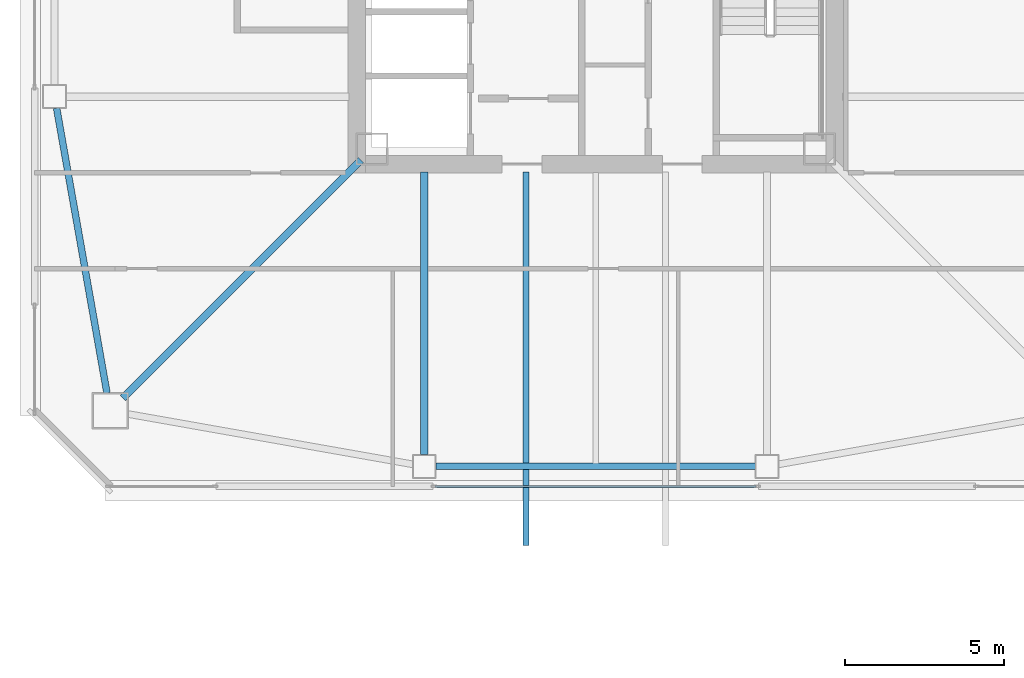
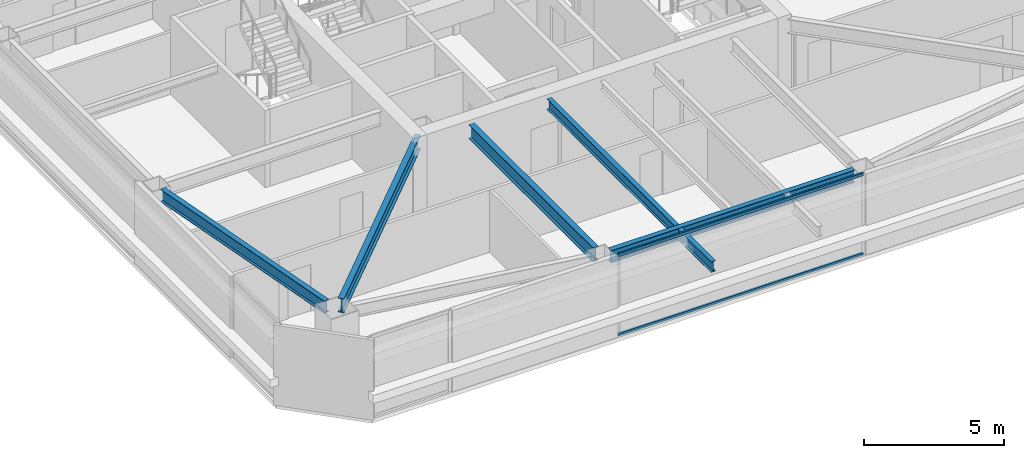
# One storey, part 4 of 41: 5 beams, 2 members, 1 element without a shape of its own.
"""IFC4 building model written with IfcOpenShell, lengths in metres."""

from ifc_helpers import new_model, si_unit, direction, frame, origin, origin_2d, place, context, subcontext, project, spatial, hollow_rectangle, i_section, extrude, material, material_profile, profile_set, type_object, element, aggregate, save


model = new_model("IFC4")

# Units and contexts
model_context = context("Model", 3, precision=1e-05, world=origin(), true_north=direction((0.0, 1.0)))
body_context = subcontext(model_context, "Body", "Model", "MODEL_VIEW")
ifc_project = project(units=[si_unit("LENGTHUNIT", "METRE"), si_unit("AREAUNIT", "SQUARE_METRE"), si_unit("VOLUMEUNIT", "CUBIC_METRE"), si_unit("PLANEANGLEUNIT", "RADIAN"), si_unit("MASSUNIT", "GRAM", prefix="KILO")], contexts=[model_context])

# Site, building, storey
site_placement = place(None, origin())
site = spatial("IfcSite", under=ifc_project, at=site_placement, CompositionType="ELEMENT")
building_placement = place(site_placement, origin())
building = spatial("IfcBuilding", under=site, at=building_placement, Name="Tashvorn Skyway Center", CompositionType="ELEMENT")
storey_placement = place(building_placement, frame((0.0, 0.0, 174.75)))
storey = spatial("IfcBuildingStorey", under=building, at=storey_placement, Name="L47", CompositionType="ELEMENT", Elevation=174.75)

# Beams
ifc_material_1 = material(Name="Steel ASTM A992 Grade 50", Category="steel")
ifc_material_profile_1 = material_profile(ifc_material_1, i_section(OverallWidth=0.22998046875, OverallDepth=0.616943359375, WebThickness=0.01318359375, FlangeThickness=0.022216796875, at=origin_2d()), Name="W24X94")
ifc_profile_set_1 = profile_set([ifc_material_profile_1], Name="Steel ASTM A992 Grade 50")
beam_type_1 = type_object("IfcBeamType", Name="BM-BEAM-W24X94", PredefinedType="BEAM", material=ifc_profile_set_1)
beam_1_placement = place(storey_placement, frame((27.10302734375, 17.10302734375, 3.0615234375), z_axis=(0.707106781187, 0.707106781187, 0.0), x_axis=(-0.707106781187, 0.707106781187, 0.0)))
element("IfcBeam", 1, at=beam_1_placement, inside=storey, type_object=beam_type_1, Name="Tower 1 L47 Primary Floor Girder MC-SW", PredefinedType="BEAM", context=body_context, shape_type="SweptSolid", body=[
    extrude(i_section(OverallWidth=0.22998046875, OverallDepth=0.616943359375, WebThickness=0.01318359375, FlangeThickness=0.022216796875, at=origin_2d()), origin(), (0.0, 0.0, 1.0), 10.6025390625),
])
beam_2_placement = place(storey_placement, frame((36.60009765625, 15.320068359375, 3.0615234375), z_axis=(0.0, 1.0, 0.0), x_axis=(-1.0, 0.0, 0.0)))
element("IfcBeam", 2, at=beam_2_placement, inside=storey, type_object=beam_type_1, Name="Tower 1 L47 Primary Floor Girder FC-S1", PredefinedType="BEAM", context=body_context, shape_type="SweptSolid", body=[
    extrude(i_section(OverallWidth=0.22998046875, OverallDepth=0.616943359375, WebThickness=0.01318359375, FlangeThickness=0.022216796875, at=origin_2d()), origin(), (0.0, 0.0, 1.0), 8.89990234375),
])
ifc_material_profile_2 = material_profile(ifc_material_1, i_section(OverallWidth=0.19091796875, OverallDepth=0.4599609375, WebThickness=0.010009765625, FlangeThickness=0.01611328125, at=origin_2d()), Name="W18X55")
ifc_profile_set_2 = profile_set([ifc_material_profile_2], Name="Steel ASTM A992 Grade 50")
beam_type_2 = type_object("IfcBeamType", Name="BM-JOIST-W18X55", PredefinedType="JOIST", material=ifc_profile_set_2)
beam_3_placement = place(storey_placement, frame((39.800048828125, 24.219970703125, 3.139892578125), z_axis=(0.0, -1.0, 0.0), x_axis=(1.0, 0.0, 0.0)))
element("IfcBeam", 3, at=beam_3_placement, inside=storey, type_object=beam_type_2, Name="Tower 1 L48 Terrace Cantilever Outlooker 1", PredefinedType="JOIST", context=body_context, shape_type="SweptSolid", body=[
    extrude(i_section(OverallWidth=0.19091796875, OverallDepth=0.4599609375, WebThickness=0.010009765625, FlangeThickness=0.01611328125, at=origin_2d()), origin(), (0.0, 0.0, 1.0), 11.77001953125),
])
ifc_material_profile_3 = material_profile(ifc_material_1, i_section(OverallWidth=0.2109375, OverallDepth=0.5390625, WebThickness=0.01171875, FlangeThickness=0.018798828125, at=origin_2d()), Name="W21X73")
ifc_profile_set_3 = profile_set([ifc_material_profile_3], Name="Steel ASTM A992 Grade 50")
beam_type_3 = type_object("IfcBeamType", Name="BM-SPANDREL-W21X73", PredefinedType="SPANDREL", material=ifc_profile_set_3)
beam_4_placement = place(storey_placement, frame((36.969970703125, 14.949951171875, 3.1005859375), z_axis=(1.0, 0.0, 0.0), x_axis=(0.0, 1.0, 0.0)))
element("IfcBeam", 4, at=beam_4_placement, inside=storey, type_object=beam_type_3, Name="Tower 1 L47 Spandrel Beam 02", PredefinedType="SPANDREL", context=body_context, shape_type="SweptSolid", body=[
    extrude(i_section(OverallWidth=0.2109375, OverallDepth=0.5390625, WebThickness=0.01171875, FlangeThickness=0.018798828125, at=origin_2d()), origin(), (0.0, 0.0, 1.0), 10.06005859375),
])
beam_5_placement = place(storey_placement, frame((25.014404296875, 26.235595703125, 3.1005859375), z_axis=(0.174074160933, -0.984732545667, 0.0), x_axis=(0.984732545667, 0.174074160933, 0.0)))
element("IfcBeam", 5, at=beam_5_placement, inside=storey, type_object=beam_type_3, Name="Tower 1 L47 Spandrel Beam 12", PredefinedType="SPANDREL", context=body_context, shape_type="SweptSolid", body=[
    extrude(i_section(OverallWidth=0.2109375, OverallDepth=0.5390625, WebThickness=0.01171875, FlangeThickness=0.018798828125, at=origin_2d()), origin(), (0.0, 0.0, 1.0), 9.113525390625),
])

# Curtain wall, members
ifc_material_2 = material(Name="Thermally broken bronze-anodized aluminium 6063-T6", Category="aluminium")
curtain_wall_type = type_object("IfcCurtainWallType", Name="CW-CW-Z4", PredefinedType="NOTDEFINED", material=ifc_material_2)
curtain_wall_placement = place(storey_placement, origin())
curtain_wall = element("IfcCurtainWall", 6, at=curtain_wall_placement, inside=storey, type_object=curtain_wall_type, Name="Tower 1 L47 South Unitised Curtain Wall Glazing Group 2", PredefinedType="NOTDEFINED")
ifc_material_profile_4 = material_profile(ifc_material_2, hollow_rectangle(XDim=0.070068359375, YDim=0.1298828125, WallThickness=0.00390625, at=origin_2d()), Name="ALU-TRAN-70x130")
ifc_profile_set_4 = profile_set([ifc_material_profile_4], Name="Thermally broken bronze-anodized aluminium 6063-T6")
member_type = type_object("IfcMemberType", Name="CWT-CW-Z4", PredefinedType="USERDEFINED", material=ifc_profile_set_4)
member_1_placement = place(storey_placement, frame((47.056640625, 14.320068359375, 0.034912109375), z_axis=(-1.0, 0.0, 0.0), x_axis=(0.0, -1.0, 0.0)))
member_1 = element("IfcMember", 7, at=member_1_placement, type_object=member_type, Name="CW-Z4 transom 1.1", ObjectType="TRANSOM", PredefinedType="USERDEFINED", context=body_context, shape_type="SweptSolid", body=[
    extrude(hollow_rectangle(XDim=0.070068359375, YDim=0.1298828125, WallThickness=0.00390625, at=origin_2d()), origin(), (0.0, 0.0, 1.0), 10.11328125),
])
member_2_placement = place(storey_placement, frame((47.056640625, 14.320068359375, 3.514892578125), z_axis=(-1.0, 0.0, 0.0), x_axis=(0.0, -1.0, 0.0)))
member_2 = element("IfcMember", 8, at=member_2_placement, type_object=member_type, Name="CW-Z4 transom 1.2", ObjectType="TRANSOM", PredefinedType="USERDEFINED", context=body_context, shape_type="SweptSolid", body=[
    extrude(hollow_rectangle(XDim=0.070068359375, YDim=0.1298828125, WallThickness=0.00390625, at=origin_2d()), origin(), (0.0, 0.0, 1.0), 10.11328125),
])
aggregate(curtain_wall, [member_1, member_2])

save(model, "model.ifc")
